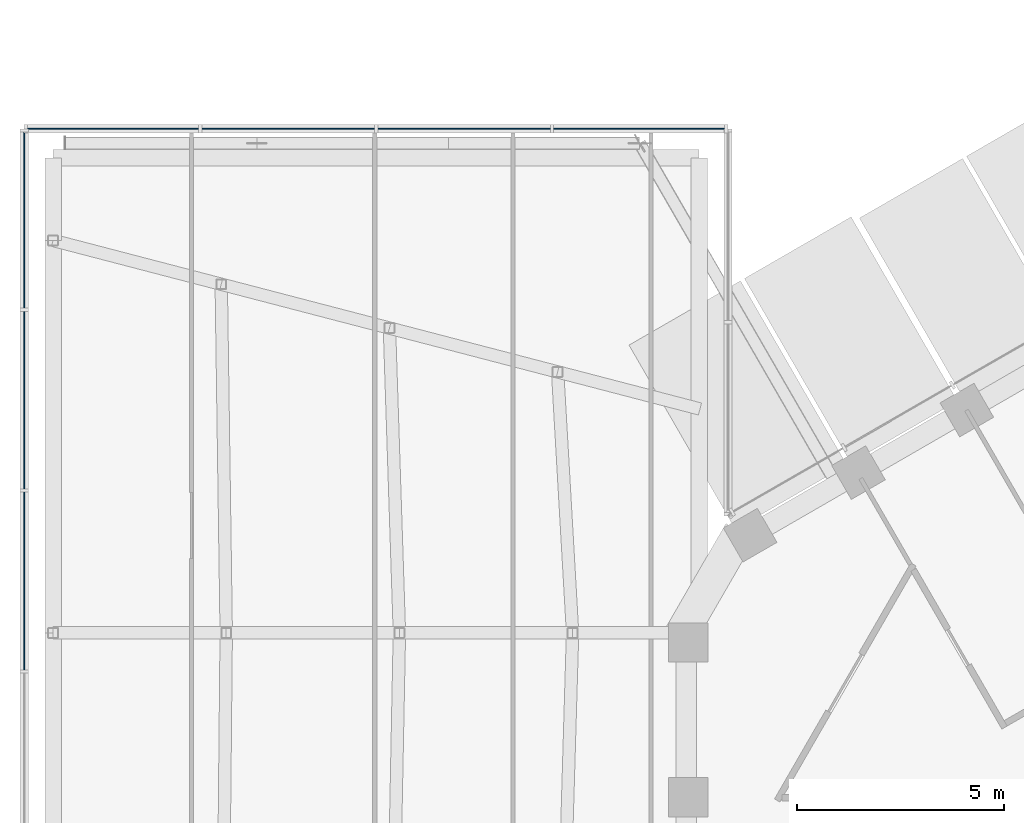
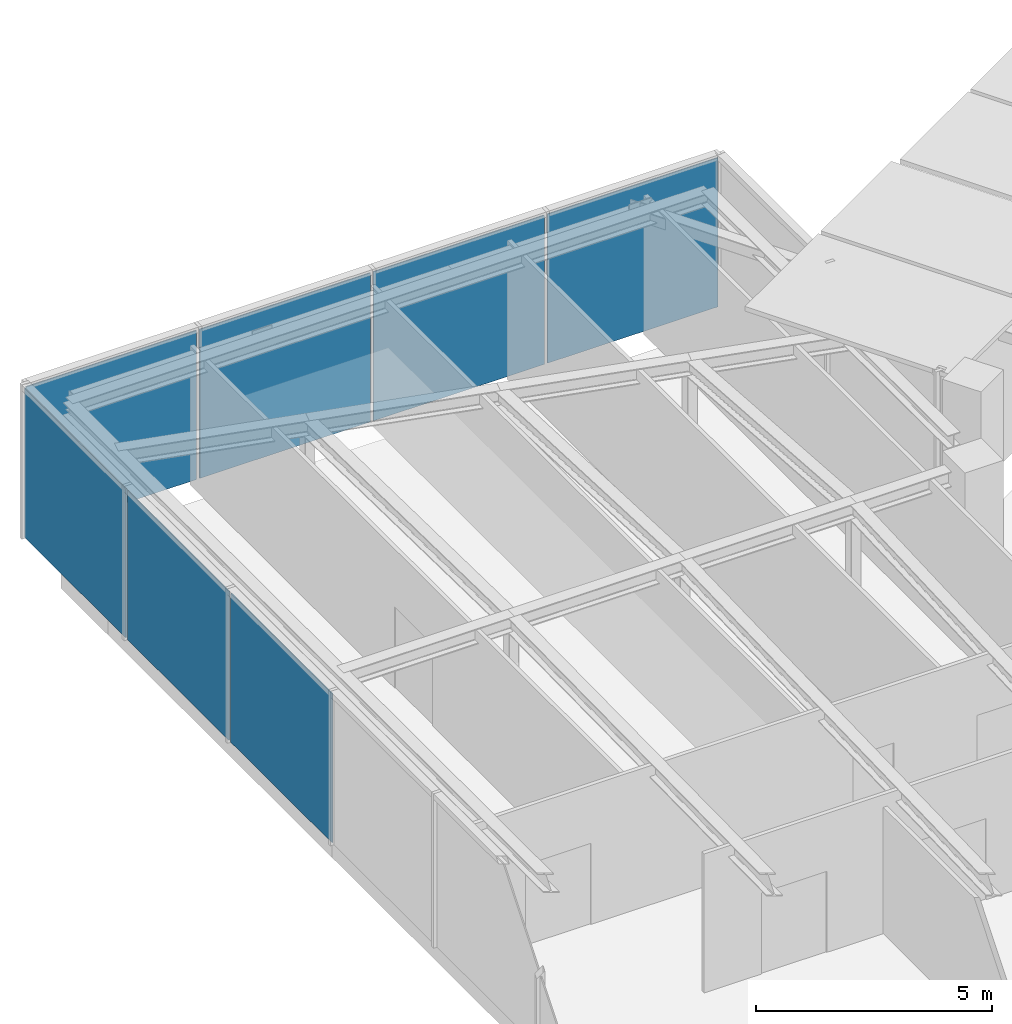
# One storey, part 13 of 24: 7 plates, 2 elements without a shape of their own.
"""IFC4 building model written with IfcOpenShell, lengths in metres."""

from ifc_helpers import new_model, si_unit, direction, frame, origin, origin_2d, place, context, subcontext, project, spatial, rectangle, extrude, material, layer, layer_set, type_object, element, aggregate, save


model = new_model("IFC4")

# Units and contexts
model_context = context("Model", 3, precision=1e-05, world=origin(), true_north=direction((0.0, 1.0)))
body_context = subcontext(model_context, "Body", "Model", "MODEL_VIEW")
ifc_project = project(units=[si_unit("LENGTHUNIT", "METRE"), si_unit("AREAUNIT", "SQUARE_METRE"), si_unit("VOLUMEUNIT", "CUBIC_METRE"), si_unit("PLANEANGLEUNIT", "RADIAN"), si_unit("MASSUNIT", "GRAM", prefix="KILO")], contexts=[model_context])

# Site, building, storey
site_placement = place(None, origin())
site = spatial("IfcSite", under=ifc_project, at=site_placement, CompositionType="ELEMENT")
building_placement = place(site_placement, origin())
building = spatial("IfcBuilding", under=site, at=building_placement, Name="Ayvan Gate Tower", CompositionType="ELEMENT")
storey_placement = place(building_placement, frame((0.0, 0.0, 210.10009765625)))
storey = spatial("IfcBuildingStorey", under=building, at=storey_placement, Name="L56", CompositionType="ELEMENT", Elevation=210.10009765625)

# Curtain wall, plates
ifc_material_1 = material(Name="Bronze anodised aluminium", Category="aluminium")
ifc_layer_1 = layer(ifc_material_1, 0.199951171875)
ifc_layer_set_1 = layer_set([ifc_layer_1], Name="Bronze anodised aluminium")
curtain_wall_type = type_object("IfcCurtainWallType", Name="Stick curtain wall CW-4", PredefinedType="NOTDEFINED", material=ifc_layer_set_1)
curtain_wall_1_placement = place(storey_placement, origin())
curtain_wall_1 = element("IfcCurtainWall", 1, at=curtain_wall_1_placement, inside=storey, type_object=curtain_wall_type, Name="Stick curtain wall CW-4 L56", PredefinedType="NOTDEFINED")
ifc_material_2 = material(Name="Clear low-iron laminated glass", Category="glass")
ifc_layer_2 = layer(ifc_material_2, 0.028076171875)
ifc_layer_set_2 = layer_set([ifc_layer_2], Name="Clear low-iron laminated glass")
plate_type_1 = type_object("IfcPlateType", Name="Stick curtain wall CW-4 glass panel", PredefinedType="CURTAIN_PANEL", material=ifc_layer_set_2)
plate_1_placement = place(storey_placement, frame((-22.574462890625, 21.800048828125, 0.0), z_axis=(0.0, 0.0, 1.0), x_axis=(-1.0, 0.0, 0.0)))
plate_1 = element("IfcPlate", 2, at=plate_1_placement, type_object=plate_type_1, Name="CW-4 glass panel 2", PredefinedType="CURTAIN_PANEL", context=body_context, shape_type="SweptSolid", body=[
    extrude(rectangle(XDim=4.179931640625, YDim=0.028076171875, at=origin_2d()), origin(), (0.0, 0.0, 1.0), 3.860107421875),
])
plate_2_placement = place(storey_placement, frame((-31.09423828125, 21.800048828125, 0.0), z_axis=(0.0, 0.0, 1.0), x_axis=(-1.0, 0.0, 0.0)))
plate_2 = element("IfcPlate", 3, at=plate_2_placement, type_object=plate_type_1, Name="CW-4 glass panel 4", PredefinedType="CURTAIN_PANEL", context=body_context, shape_type="SweptSolid", body=[
    extrude(rectangle(XDim=4.179931640625, YDim=0.028076171875, at=origin_2d()), origin(), (0.0, 0.0, 1.0), 3.860107421875),
])

curtain_wall_2_placement = place(storey_placement, origin())
curtain_wall_2 = element("IfcCurtainWall", 4, at=curtain_wall_2_placement, inside=storey, type_object=curtain_wall_type, Name="Stick curtain wall CW-4 L56", PredefinedType="NOTDEFINED")
plate_3_placement = place(storey_placement, frame((-33.224365234375, 19.611083984375, 0.0), z_axis=(0.0, 0.0, 1.0), x_axis=(0.0, -1.0, 0.0)))
plate_3 = element("IfcPlate", 5, at=plate_3_placement, type_object=plate_type_1, Name="CW-4 glass panel 1", PredefinedType="CURTAIN_PANEL", context=body_context, shape_type="SweptSolid", body=[
    extrude(rectangle(XDim=4.2978515625, YDim=0.028076171875, at=origin_2d()), origin(), (0.0, 0.0, 1.0), 3.860107421875),
])
plate_4_placement = place(storey_placement, frame((-33.224365234375, 15.2333984375, 0.0), z_axis=(0.0, 0.0, 1.0), x_axis=(0.0, -1.0, 0.0)))
plate_4 = element("IfcPlate", 6, at=plate_4_placement, type_object=plate_type_1, Name="CW-4 glass panel 2", PredefinedType="CURTAIN_PANEL", context=body_context, shape_type="SweptSolid", body=[
    extrude(rectangle(XDim=4.2978515625, YDim=0.028076171875, at=origin_2d()), origin(), (0.0, 0.0, 1.0), 3.860107421875),
])
plate_5_placement = place(storey_placement, frame((-33.224365234375, 10.85546875, 0.0), z_axis=(0.0, 0.0, 1.0), x_axis=(0.0, -1.0, 0.0)))
plate_5 = element("IfcPlate", 7, at=plate_5_placement, type_object=plate_type_1, Name="CW-4 glass panel 3", PredefinedType="CURTAIN_PANEL", context=body_context, shape_type="SweptSolid", body=[
    extrude(rectangle(XDim=4.2978515625, YDim=0.028076171875, at=origin_2d()), origin(), (0.0, 0.0, 1.0), 3.860107421875),
])
aggregate(curtain_wall_2, [plate_3, plate_4, plate_5])

# Plate
ifc_material_3 = material(Name="Pale anodised aluminium composite panel", Category="aluminium")
ifc_layer_3 = layer(ifc_material_3, 0.028076171875)
ifc_layer_set_3 = layer_set([ifc_layer_3], Name="Pale anodised aluminium composite panel")
plate_type_2 = type_object("IfcPlateType", Name="Stick curtain wall CW-4 solid panel", PredefinedType="CURTAIN_PANEL", material=ifc_layer_set_3)
plate_6_placement = place(storey_placement, frame((-18.314453125, 21.800048828125, 0.0), z_axis=(0.0, 0.0, 1.0), x_axis=(-1.0, 0.0, 0.0)))
plate_6 = element("IfcPlate", 8, at=plate_6_placement, type_object=plate_type_2, Name="CW-4 solid panel 1", PredefinedType="CURTAIN_PANEL", context=body_context, shape_type="SweptSolid", body=[
    extrude(rectangle(XDim=4.179931640625, YDim=0.028076171875, at=origin_2d()), origin(), (0.0, 0.0, 1.0), 3.860107421875),
])

plate_7_placement = place(storey_placement, frame((-26.83447265625, 21.800048828125, 0.0), z_axis=(0.0, 0.0, 1.0), x_axis=(-1.0, 0.0, 0.0)))
plate_7 = element("IfcPlate", 9, at=plate_7_placement, type_object=plate_type_2, Name="CW-4 solid panel 3", PredefinedType="CURTAIN_PANEL", context=body_context, shape_type="SweptSolid", body=[
    extrude(rectangle(XDim=4.179931640625, YDim=0.028076171875, at=origin_2d()), origin(), (0.0, 0.0, 1.0), 3.860107421875),
])

aggregate(curtain_wall_1, [plate_6, plate_1, plate_7, plate_2])

save(model, "model.ifc")
